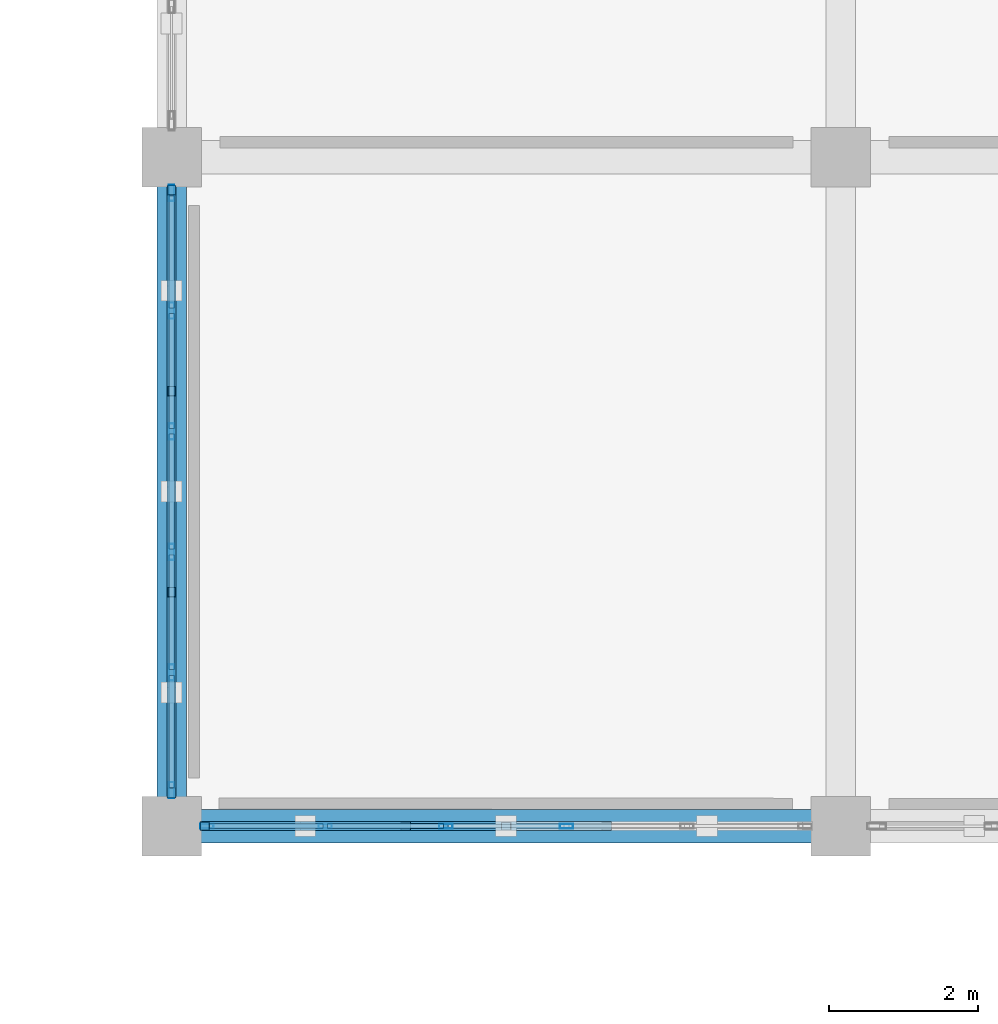
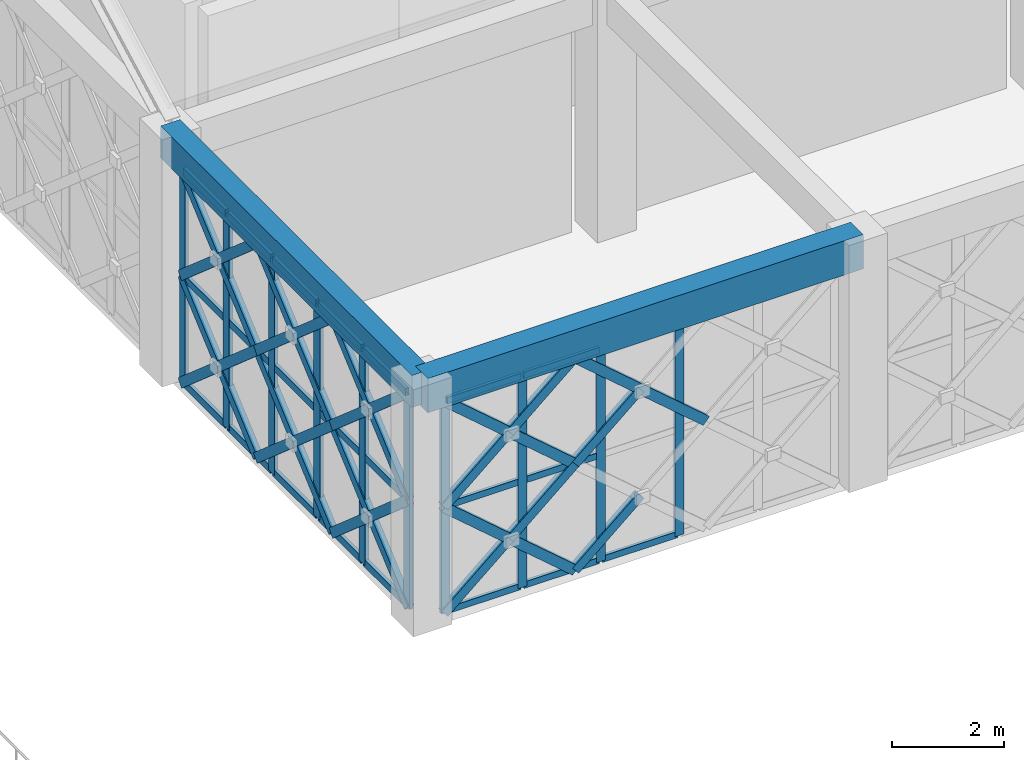
# One storey, part 22 of 86: 59 members, 2 beams, 2 elements without a shape of their own.
"""IFC4 building model written with IfcOpenShell, lengths in metres."""

from ifc_helpers import new_model, si_unit, direction, frame, origin, origin_2d, place, context, subcontext, project, spatial, rectangle, hollow_rectangle, extrude, material, material_profile, profile_set, type_object, element, aggregate, save


model = new_model("IFC4")

# Units and contexts
model_context = context("Model", 3, precision=1e-05, world=origin(), true_north=direction((0.0, 1.0)))
body_context = subcontext(model_context, "Body", "Model", "MODEL_VIEW")
ifc_project = project(units=[si_unit("LENGTHUNIT", "METRE"), si_unit("AREAUNIT", "SQUARE_METRE"), si_unit("VOLUMEUNIT", "CUBIC_METRE"), si_unit("PLANEANGLEUNIT", "RADIAN"), si_unit("MASSUNIT", "GRAM", prefix="KILO")], contexts=[model_context])

# Site, building, storey
site_placement = place(None, origin())
site = spatial("IfcSite", under=ifc_project, at=site_placement, CompositionType="ELEMENT")
building_placement = place(site_placement, origin())
building = spatial("IfcBuilding", under=site, at=building_placement, Name="Haizhuo Lancet Aquarium", CompositionType="ELEMENT")
storey_placement = place(building_placement, frame((0.0, 0.0, 16.199951171875)))
storey = spatial("IfcBuildingStorey", under=building, at=storey_placement, Name="L03", CompositionType="ELEMENT", Elevation=16.199951171875)

# Beams
ifc_material_1 = material(Name="Concrete C40/50", Category="concrete")
ifc_material_profile_1 = material_profile(ifc_material_1, rectangle(XDim=0.39990234375, YDim=0.699951171875, at=origin_2d()), Name="RC-BM 400x700")
ifc_profile_set_1 = profile_set([ifc_material_profile_1], Name="Concrete C40/50")
beam_type_1 = type_object("IfcBeamType", Name="BM-RC-400x700", PredefinedType="BEAM", material=ifc_profile_set_1)
beam_1_placement = place(storey_placement, frame((27.0, -36.0, 5.050048828125), z_axis=(0.0, 1.0, 0.0), x_axis=(-1.0, 0.0, 0.0)))
element("IfcBeam", 1, at=beam_1_placement, inside=storey, type_object=beam_type_1, Name="L03 V3 primary girder BM-L03-V3-001", PredefinedType="BEAM", context=body_context, shape_type="SweptSolid", body=[
    extrude(rectangle(XDim=0.39990234375, YDim=0.699951171875, at=origin_2d()), origin(), (0.0, 0.0, 1.0), 9.0),
])
ifc_material_profile_2 = material_profile(ifc_material_1, rectangle(XDim=0.449951171875, YDim=0.75, at=origin_2d()), Name="RC-BM 450x750")
ifc_profile_set_2 = profile_set([ifc_material_profile_2], Name="Concrete C40/50")
beam_type_2 = type_object("IfcBeamType", Name="BM-RC-450x750", PredefinedType="BEAM", material=ifc_profile_set_2)
beam_2_placement = place(storey_placement, frame((27.0, -36.0, 5.025146484375), z_axis=(1.0, 0.0, 0.0), x_axis=(0.0, 1.0, 0.0)))
element("IfcBeam", 2, at=beam_2_placement, inside=storey, type_object=beam_type_2, Name="L03 V3 primary girder BM-L03-V3-002", PredefinedType="BEAM", context=body_context, shape_type="SweptSolid", body=[
    extrude(rectangle(XDim=0.449951171875, YDim=0.75, at=origin_2d()), origin(), (0.0, 0.0, 1.0), 9.0),
])

# Curtain wall, members
ifc_material_2 = material(Name="Aluminium 6063-T6", Category="aluminium")
curtain_wall_type_1 = type_object("IfcCurtainWallType", Name="CWO-8110x4650", PredefinedType="NOTDEFINED", material=ifc_material_2)
curtain_wall_1_placement = place(storey_placement, origin())
curtain_wall_1 = element("IfcCurtainWall", 3, at=curtain_wall_1_placement, inside=storey, type_object=curtain_wall_type_1, Name="L03 curtain wall CW-V3-L03-079", PredefinedType="NOTDEFINED")
ifc_material_profile_3 = material_profile(ifc_material_2, hollow_rectangle(XDim=0.06494140625, YDim=0.179931640625, WallThickness=0.00390625, at=origin_2d()), Name="ALU-M 65x180x4")
ifc_profile_set_3 = profile_set([ifc_material_profile_3], Name="Aluminium 6063-T6")
member_type_1 = type_object("IfcMemberType", Name="CW-MUL-1", PredefinedType="MULLION", material=ifc_profile_set_3)
member_1_placement = place(storey_placement, frame((32.31103515625, -36.0, 0.0), z_axis=(0.0, 0.0, 1.0), x_axis=(0.0, -1.0, 0.0)))
member_1 = element("IfcMember", 4, at=member_1_placement, type_object=member_type_1, Name="CWO-81x46 mullion 3", PredefinedType="MULLION", context=body_context, shape_type="SweptSolid", body=[
    extrude(hollow_rectangle(XDim=0.06494140625, YDim=0.179931640625, WallThickness=0.00390625, at=origin_2d()), origin(), (0.0, 0.0, 1.0), 4.650146484375),
])
member_2_placement = place(storey_placement, frame((30.68896484375, -36.0, 0.0), z_axis=(0.0, 0.0, 1.0), x_axis=(0.0, -1.0, 0.0)))
member_2 = element("IfcMember", 5, at=member_2_placement, type_object=member_type_1, Name="CWO-81x46 mullion 4", PredefinedType="MULLION", context=body_context, shape_type="SweptSolid", body=[
    extrude(hollow_rectangle(XDim=0.06494140625, YDim=0.179931640625, WallThickness=0.00390625, at=origin_2d()), origin(), (0.0, 0.0, 1.0), 4.650146484375),
])
member_3_placement = place(storey_placement, frame((29.06689453125, -36.0, 0.0), z_axis=(0.0, 0.0, 1.0), x_axis=(0.0, -1.0, 0.0)))
member_3 = element("IfcMember", 6, at=member_3_placement, type_object=member_type_1, Name="CWO-81x46 mullion 5", PredefinedType="MULLION", context=body_context, shape_type="SweptSolid", body=[
    extrude(hollow_rectangle(XDim=0.06494140625, YDim=0.179931640625, WallThickness=0.00390625, at=origin_2d()), origin(), (0.0, 0.0, 1.0), 4.650146484375),
])
member_4_placement = place(storey_placement, frame((27.47705078125, -36.0, 0.0), z_axis=(0.0, 0.0, 1.0), x_axis=(0.0, -1.0, 0.0)))
member_4 = element("IfcMember", 7, at=member_4_placement, type_object=member_type_1, Name="CWO-81x46 mullion 6", PredefinedType="MULLION", context=body_context, shape_type="SweptSolid", body=[
    extrude(hollow_rectangle(XDim=0.06494140625, YDim=0.179931640625, WallThickness=0.00390625, at=origin_2d()), origin(), (0.0, 0.0, 1.0), 4.650146484375),
])

curtain_wall_type_2 = type_object("IfcCurtainWallType", Name="CWO-8110x4700", PredefinedType="NOTDEFINED", material=ifc_material_2)
curtain_wall_2_placement = place(storey_placement, origin())
curtain_wall_2 = element("IfcCurtainWall", 8, at=curtain_wall_2_placement, inside=storey, type_object=curtain_wall_type_2, Name="L03 curtain wall CW-V3-L03-080", PredefinedType="NOTDEFINED")
ifc_material_profile_4 = material_profile(ifc_material_2, hollow_rectangle(XDim=0.074951171875, YDim=0.219970703125, WallThickness=0.0048828125, at=origin_2d()), Name="ALU-M 75x220x5")
ifc_profile_set_4 = profile_set([ifc_material_profile_4], Name="Aluminium 6063-T6")
member_type_2 = type_object("IfcMemberType", Name="CW-MUL-2", PredefinedType="MULLION", material=ifc_profile_set_4)
member_5_placement = place(storey_placement, frame((27.0, -35.51708984375, 0.0), z_axis=(0.0, 0.0, 1.0), x_axis=(-1.0, 0.0, 0.0)))
member_5 = element("IfcMember", 9, at=member_5_placement, type_object=member_type_2, Name="CWO-81x47 mullion 1", PredefinedType="MULLION", context=body_context, shape_type="SweptSolid", body=[
    extrude(hollow_rectangle(XDim=0.074951171875, YDim=0.219970703125, WallThickness=0.0048828125, at=origin_2d()), origin(), (0.0, 0.0, 1.0), 4.699951171875),
])
member_6_placement = place(storey_placement, frame((27.0, -33.93310546875, 0.0), z_axis=(0.0, 0.0, 1.0), x_axis=(-1.0, 0.0, 0.0)))
member_6 = element("IfcMember", 10, at=member_6_placement, type_object=member_type_2, Name="CWO-81x47 mullion 2", PredefinedType="MULLION", context=body_context, shape_type="SweptSolid", body=[
    extrude(hollow_rectangle(XDim=0.074951171875, YDim=0.219970703125, WallThickness=0.0048828125, at=origin_2d()), origin(), (0.0, 0.0, 1.0), 4.699951171875),
])
member_7_placement = place(storey_placement, frame((27.0, -32.31103515625, 0.0), z_axis=(0.0, 0.0, 1.0), x_axis=(-1.0, 0.0, 0.0)))
member_7 = element("IfcMember", 11, at=member_7_placement, type_object=member_type_2, Name="CWO-81x47 mullion 3", PredefinedType="MULLION", context=body_context, shape_type="SweptSolid", body=[
    extrude(hollow_rectangle(XDim=0.074951171875, YDim=0.219970703125, WallThickness=0.0048828125, at=origin_2d()), origin(), (0.0, 0.0, 1.0), 4.699951171875),
])
member_8_placement = place(storey_placement, frame((27.0, -30.68896484375, 0.0), z_axis=(0.0, 0.0, 1.0), x_axis=(-1.0, 0.0, 0.0)))
member_8 = element("IfcMember", 12, at=member_8_placement, type_object=member_type_2, Name="CWO-81x47 mullion 4", PredefinedType="MULLION", context=body_context, shape_type="SweptSolid", body=[
    extrude(hollow_rectangle(XDim=0.074951171875, YDim=0.219970703125, WallThickness=0.0048828125, at=origin_2d()), origin(), (0.0, 0.0, 1.0), 4.699951171875),
])
member_9_placement = place(storey_placement, frame((27.0, -29.06689453125, 0.0), z_axis=(0.0, 0.0, 1.0), x_axis=(-1.0, 0.0, 0.0)))
member_9 = element("IfcMember", 13, at=member_9_placement, type_object=member_type_2, Name="CWO-81x47 mullion 5", PredefinedType="MULLION", context=body_context, shape_type="SweptSolid", body=[
    extrude(hollow_rectangle(XDim=0.074951171875, YDim=0.219970703125, WallThickness=0.0048828125, at=origin_2d()), origin(), (0.0, 0.0, 1.0), 4.699951171875),
])
member_10_placement = place(storey_placement, frame((27.0, -27.48291015625, 0.0), z_axis=(0.0, 0.0, 1.0), x_axis=(-1.0, 0.0, 0.0)))
member_10 = element("IfcMember", 14, at=member_10_placement, type_object=member_type_2, Name="CWO-81x47 mullion 6", PredefinedType="MULLION", context=body_context, shape_type="SweptSolid", body=[
    extrude(hollow_rectangle(XDim=0.074951171875, YDim=0.219970703125, WallThickness=0.0048828125, at=origin_2d()), origin(), (0.0, 0.0, 1.0), 4.699951171875),
])

# Member
ifc_material_profile_5 = material_profile(ifc_material_2, hollow_rectangle(XDim=0.06494140625, YDim=0.139892578125, WallThickness=0.00390625, at=origin_2d()), Name="ALU-T 65x140x4")
ifc_profile_set_5 = profile_set([ifc_material_profile_5], Name="Aluminium 6063-T6")
member_type_3 = type_object("IfcMemberType", Name="CW-TRN-1", PredefinedType="NOTDEFINED", material=ifc_profile_set_5)
member_11_placement = place(storey_placement, frame((32.279052734375, -36.0, 0.031982421875), z_axis=(-1.0, 0.0, 0.0), x_axis=(0.0, -1.0, 0.0)))
member_11 = element("IfcMember", 15, at=member_11_placement, type_object=member_type_3, Name="CWO-81x46 transom 3.1", ObjectType="TRANSOM", PredefinedType="USERDEFINED", context=body_context, shape_type="SweptSolid", body=[
    extrude(hollow_rectangle(XDim=0.06494140625, YDim=0.139892578125, WallThickness=0.00390625, at=origin_2d()), origin(), (0.0, 0.0, 1.0), 1.55810546875),
])

member_12_placement = place(storey_placement, frame((30.656982421875, -36.0, 0.031982421875), z_axis=(-1.0, 0.0, 0.0), x_axis=(0.0, -1.0, 0.0)))
member_12 = element("IfcMember", 16, at=member_12_placement, type_object=member_type_3, Name="CWO-81x46 transom 4.1", ObjectType="TRANSOM", PredefinedType="USERDEFINED", context=body_context, shape_type="SweptSolid", body=[
    extrude(hollow_rectangle(XDim=0.06494140625, YDim=0.139892578125, WallThickness=0.00390625, at=origin_2d()), origin(), (0.0, 0.0, 1.0), 1.557861328125),
])

member_13_placement = place(storey_placement, frame((30.656982421875, -36.0, 2.324951171875), z_axis=(-1.0, 0.0, 0.0), x_axis=(0.0, -1.0, 0.0)))
member_13 = element("IfcMember", 17, at=member_13_placement, type_object=member_type_3, Name="CWO-81x46 transom 4.2", ObjectType="TRANSOM", PredefinedType="USERDEFINED", context=body_context, shape_type="SweptSolid", body=[
    extrude(hollow_rectangle(XDim=0.06494140625, YDim=0.139892578125, WallThickness=0.00390625, at=origin_2d()), origin(), (0.0, 0.0, 1.0), 1.557861328125),
])

member_14_placement = place(storey_placement, frame((30.656982421875, -36.0, 4.6181640625), z_axis=(-1.0, 0.0, 0.0), x_axis=(0.0, -1.0, 0.0)))
member_14 = element("IfcMember", 18, at=member_14_placement, type_object=member_type_3, Name="CWO-81x46 transom 4.3", ObjectType="TRANSOM", PredefinedType="USERDEFINED", context=body_context, shape_type="SweptSolid", body=[
    extrude(hollow_rectangle(XDim=0.06494140625, YDim=0.139892578125, WallThickness=0.00390625, at=origin_2d()), origin(), (0.0, 0.0, 1.0), 1.557861328125),
])

member_15_placement = place(storey_placement, frame((29.034912109375, -36.0, 0.031982421875), z_axis=(-1.0, 0.0, 0.0), x_axis=(0.0, -1.0, 0.0)))
member_15 = element("IfcMember", 19, at=member_15_placement, type_object=member_type_3, Name="CWO-81x46 transom 5.1", ObjectType="TRANSOM", PredefinedType="USERDEFINED", context=body_context, shape_type="SweptSolid", body=[
    extrude(hollow_rectangle(XDim=0.06494140625, YDim=0.139892578125, WallThickness=0.00390625, at=origin_2d()), origin(), (0.0, 0.0, 1.0), 1.52490234375),
])

member_16_placement = place(storey_placement, frame((29.034912109375, -36.0, 2.324951171875), z_axis=(-1.0, 0.0, 0.0), x_axis=(0.0, -1.0, 0.0)))
member_16 = element("IfcMember", 20, at=member_16_placement, type_object=member_type_3, Name="CWO-81x46 transom 5.2", ObjectType="TRANSOM", PredefinedType="USERDEFINED", context=body_context, shape_type="SweptSolid", body=[
    extrude(hollow_rectangle(XDim=0.06494140625, YDim=0.139892578125, WallThickness=0.00390625, at=origin_2d()), origin(), (0.0, 0.0, 1.0), 1.52490234375),
])

member_17_placement = place(storey_placement, frame((29.034912109375, -36.0, 4.6181640625), z_axis=(-1.0, 0.0, 0.0), x_axis=(0.0, -1.0, 0.0)))
member_17 = element("IfcMember", 21, at=member_17_placement, type_object=member_type_3, Name="CWO-81x46 transom 5.3", ObjectType="TRANSOM", PredefinedType="USERDEFINED", context=body_context, shape_type="SweptSolid", body=[
    extrude(hollow_rectangle(XDim=0.06494140625, YDim=0.139892578125, WallThickness=0.00390625, at=origin_2d()), origin(), (0.0, 0.0, 1.0), 1.52490234375),
])

aggregate(curtain_wall_1, [member_1, member_2, member_3, member_4, member_11, member_12, member_13, member_14, member_15, member_16, member_17])

ifc_material_profile_6 = material_profile(ifc_material_2, hollow_rectangle(XDim=0.074951171875, YDim=0.159912109375, WallThickness=0.00390625, at=origin_2d()), Name="ALU-T 75x160x4")
ifc_profile_set_6 = profile_set([ifc_material_profile_6], Name="Aluminium 6063-T6")
member_type_4 = type_object("IfcMemberType", Name="CW-TRN-2", PredefinedType="NOTDEFINED", material=ifc_profile_set_6)
member_18_placement = place(storey_placement, frame((27.0, -35.47998046875, 0.0380859375), z_axis=(0.0, 1.0, 0.0), x_axis=(-1.0, 0.0, 0.0)))
member_18 = element("IfcMember", 22, at=member_18_placement, type_object=member_type_4, Name="CWO-81x47 transom 1.1", ObjectType="TRANSOM", PredefinedType="USERDEFINED", context=body_context, shape_type="SweptSolid", body=[
    extrude(hollow_rectangle(XDim=0.074951171875, YDim=0.159912109375, WallThickness=0.00390625, at=origin_2d()), origin(), (0.0, 0.0, 1.0), 1.509033203125),
])

member_19_placement = place(storey_placement, frame((27.0, -35.47998046875, 2.35009765625), z_axis=(0.0, 1.0, 0.0), x_axis=(-1.0, 0.0, 0.0)))
member_19 = element("IfcMember", 23, at=member_19_placement, type_object=member_type_4, Name="CWO-81x47 transom 1.2", ObjectType="TRANSOM", PredefinedType="USERDEFINED", context=body_context, shape_type="SweptSolid", body=[
    extrude(hollow_rectangle(XDim=0.074951171875, YDim=0.159912109375, WallThickness=0.00390625, at=origin_2d()), origin(), (0.0, 0.0, 1.0), 1.509033203125),
])

member_20_placement = place(storey_placement, frame((27.0, -35.47998046875, 4.662109375), z_axis=(0.0, 1.0, 0.0), x_axis=(-1.0, 0.0, 0.0)))
member_20 = element("IfcMember", 24, at=member_20_placement, type_object=member_type_4, Name="CWO-81x47 transom 1.3", ObjectType="TRANSOM", PredefinedType="USERDEFINED", context=body_context, shape_type="SweptSolid", body=[
    extrude(hollow_rectangle(XDim=0.074951171875, YDim=0.159912109375, WallThickness=0.00390625, at=origin_2d()), origin(), (0.0, 0.0, 1.0), 1.509033203125),
])

member_21_placement = place(storey_placement, frame((27.0, -33.89501953125, 0.0380859375), z_axis=(0.0, 1.0, 0.0), x_axis=(-1.0, 0.0, 0.0)))
member_21 = element("IfcMember", 25, at=member_21_placement, type_object=member_type_4, Name="CWO-81x47 transom 2.1", ObjectType="TRANSOM", PredefinedType="USERDEFINED", context=body_context, shape_type="SweptSolid", body=[
    extrude(hollow_rectangle(XDim=0.074951171875, YDim=0.159912109375, WallThickness=0.00390625, at=origin_2d()), origin(), (0.0, 0.0, 1.0), 1.5458984375),
])

member_22_placement = place(storey_placement, frame((27.0, -33.89501953125, 2.35009765625), z_axis=(0.0, 1.0, 0.0), x_axis=(-1.0, 0.0, 0.0)))
member_22 = element("IfcMember", 26, at=member_22_placement, type_object=member_type_4, Name="CWO-81x47 transom 2.2", ObjectType="TRANSOM", PredefinedType="USERDEFINED", context=body_context, shape_type="SweptSolid", body=[
    extrude(hollow_rectangle(XDim=0.074951171875, YDim=0.159912109375, WallThickness=0.00390625, at=origin_2d()), origin(), (0.0, 0.0, 1.0), 1.5458984375),
])

member_23_placement = place(storey_placement, frame((27.0, -33.89501953125, 4.662109375), z_axis=(0.0, 1.0, 0.0), x_axis=(-1.0, 0.0, 0.0)))
member_23 = element("IfcMember", 27, at=member_23_placement, type_object=member_type_4, Name="CWO-81x47 transom 2.3", ObjectType="TRANSOM", PredefinedType="USERDEFINED", context=body_context, shape_type="SweptSolid", body=[
    extrude(hollow_rectangle(XDim=0.074951171875, YDim=0.159912109375, WallThickness=0.00390625, at=origin_2d()), origin(), (0.0, 0.0, 1.0), 1.5458984375),
])

member_24_placement = place(storey_placement, frame((27.0, -32.27294921875, 0.0380859375), z_axis=(0.0, 1.0, 0.0), x_axis=(-1.0, 0.0, 0.0)))
member_24 = element("IfcMember", 28, at=member_24_placement, type_object=member_type_4, Name="CWO-81x47 transom 3.1", ObjectType="TRANSOM", PredefinedType="USERDEFINED", context=body_context, shape_type="SweptSolid", body=[
    extrude(hollow_rectangle(XDim=0.074951171875, YDim=0.159912109375, WallThickness=0.00390625, at=origin_2d()), origin(), (0.0, 0.0, 1.0), 1.5458984375),
])

member_25_placement = place(storey_placement, frame((27.0, -32.27294921875, 2.35009765625), z_axis=(0.0, 1.0, 0.0), x_axis=(-1.0, 0.0, 0.0)))
member_25 = element("IfcMember", 29, at=member_25_placement, type_object=member_type_4, Name="CWO-81x47 transom 3.2", ObjectType="TRANSOM", PredefinedType="USERDEFINED", context=body_context, shape_type="SweptSolid", body=[
    extrude(hollow_rectangle(XDim=0.074951171875, YDim=0.159912109375, WallThickness=0.00390625, at=origin_2d()), origin(), (0.0, 0.0, 1.0), 1.5458984375),
])

member_26_placement = place(storey_placement, frame((27.0, -32.27294921875, 4.662109375), z_axis=(0.0, 1.0, 0.0), x_axis=(-1.0, 0.0, 0.0)))
member_26 = element("IfcMember", 30, at=member_26_placement, type_object=member_type_4, Name="CWO-81x47 transom 3.3", ObjectType="TRANSOM", PredefinedType="USERDEFINED", context=body_context, shape_type="SweptSolid", body=[
    extrude(hollow_rectangle(XDim=0.074951171875, YDim=0.159912109375, WallThickness=0.00390625, at=origin_2d()), origin(), (0.0, 0.0, 1.0), 1.5458984375),
])

member_27_placement = place(storey_placement, frame((27.0, -30.65087890625, 0.0380859375), z_axis=(0.0, 1.0, 0.0), x_axis=(-1.0, 0.0, 0.0)))
member_27 = element("IfcMember", 31, at=member_27_placement, type_object=member_type_4, Name="CWO-81x47 transom 4.1", ObjectType="TRANSOM", PredefinedType="USERDEFINED", context=body_context, shape_type="SweptSolid", body=[
    extrude(hollow_rectangle(XDim=0.074951171875, YDim=0.159912109375, WallThickness=0.00390625, at=origin_2d()), origin(), (0.0, 0.0, 1.0), 1.5458984375),
])

member_28_placement = place(storey_placement, frame((27.0, -30.65087890625, 2.35009765625), z_axis=(0.0, 1.0, 0.0), x_axis=(-1.0, 0.0, 0.0)))
member_28 = element("IfcMember", 32, at=member_28_placement, type_object=member_type_4, Name="CWO-81x47 transom 4.2", ObjectType="TRANSOM", PredefinedType="USERDEFINED", context=body_context, shape_type="SweptSolid", body=[
    extrude(hollow_rectangle(XDim=0.074951171875, YDim=0.159912109375, WallThickness=0.00390625, at=origin_2d()), origin(), (0.0, 0.0, 1.0), 1.5458984375),
])

member_29_placement = place(storey_placement, frame((27.0, -30.65087890625, 4.662109375), z_axis=(0.0, 1.0, 0.0), x_axis=(-1.0, 0.0, 0.0)))
member_29 = element("IfcMember", 33, at=member_29_placement, type_object=member_type_4, Name="CWO-81x47 transom 4.3", ObjectType="TRANSOM", PredefinedType="USERDEFINED", context=body_context, shape_type="SweptSolid", body=[
    extrude(hollow_rectangle(XDim=0.074951171875, YDim=0.159912109375, WallThickness=0.00390625, at=origin_2d()), origin(), (0.0, 0.0, 1.0), 1.5458984375),
])

member_30_placement = place(storey_placement, frame((27.0, -29.029052734375, 0.0380859375), z_axis=(0.0, 1.0, 0.0), x_axis=(-1.0, 0.0, 0.0)))
member_30 = element("IfcMember", 34, at=member_30_placement, type_object=member_type_4, Name="CWO-81x47 transom 5.1", ObjectType="TRANSOM", PredefinedType="USERDEFINED", context=body_context, shape_type="SweptSolid", body=[
    extrude(hollow_rectangle(XDim=0.074951171875, YDim=0.159912109375, WallThickness=0.00390625, at=origin_2d()), origin(), (0.0, 0.0, 1.0), 1.509033203125),
])

member_31_placement = place(storey_placement, frame((27.0, -29.029052734375, 2.35009765625), z_axis=(0.0, 1.0, 0.0), x_axis=(-1.0, 0.0, 0.0)))
member_31 = element("IfcMember", 35, at=member_31_placement, type_object=member_type_4, Name="CWO-81x47 transom 5.2", ObjectType="TRANSOM", PredefinedType="USERDEFINED", context=body_context, shape_type="SweptSolid", body=[
    extrude(hollow_rectangle(XDim=0.074951171875, YDim=0.159912109375, WallThickness=0.00390625, at=origin_2d()), origin(), (0.0, 0.0, 1.0), 1.509033203125),
])

member_32_placement = place(storey_placement, frame((27.0, -29.029052734375, 4.662109375), z_axis=(0.0, 1.0, 0.0), x_axis=(-1.0, 0.0, 0.0)))
member_32 = element("IfcMember", 36, at=member_32_placement, type_object=member_type_4, Name="CWO-81x47 transom 5.3", ObjectType="TRANSOM", PredefinedType="USERDEFINED", context=body_context, shape_type="SweptSolid", body=[
    extrude(hollow_rectangle(XDim=0.074951171875, YDim=0.159912109375, WallThickness=0.00390625, at=origin_2d()), origin(), (0.0, 0.0, 1.0), 1.509033203125),
])

aggregate(curtain_wall_2, [member_5, member_6, member_7, member_8, member_9, member_10, member_18, member_19, member_20, member_21, member_22, member_23, member_24, member_25, member_26, member_27, member_28, member_29, member_30, member_31, member_32])

# Members
ifc_material_3 = material(Name="Steel S355", Category="steel")
ifc_material_profile_7 = material_profile(ifc_material_3, hollow_rectangle(XDim=0.1201171875, YDim=0.199951171875, WallThickness=0.008056640625, at=origin_2d()), Name="RHS 120x200x8")
ifc_profile_set_7 = profile_set([ifc_material_profile_7], Name="Steel S355")
member_type_5 = type_object("IfcMemberType", Name="MEM-LB-RHS120x200", PredefinedType="BRACE", material=ifc_profile_set_7)
member_33_placement = place(storey_placement, frame((30.14794921875, -36.0, 0.0), z_axis=(0.758366597375, 0.0, 0.651828277989), x_axis=(0.0, 1.0, 0.0)))
element("IfcMember", 37, at=member_33_placement, inside=storey, type_object=member_type_5, Name="Gothic lancet split diagonal brace CW-V3-L03-079 3B1", PredefinedType="BRACE", context=body_context, shape_type="SweptSolid", body=[
    extrude(hollow_rectangle(XDim=0.1201171875, YDim=0.199951171875, WallThickness=0.008056640625, at=origin_2d()), origin(), (0.0, 0.0, 1.0), 1.782958984375),
])
member_34_placement = place(storey_placement, frame((32.85205078125, -36.0, 2.324951171875), z_axis=(-0.758231220788, 0.0, 0.651985748175), x_axis=(0.0, -1.0, 0.0)))
element("IfcMember", 38, at=member_34_placement, inside=storey, type_object=member_type_5, Name="Gothic lancet continuous diagonal brace CW-V3-L03-079 4A", PredefinedType="BRACE", context=body_context, shape_type="SweptSolid", body=[
    extrude(hollow_rectangle(XDim=0.1201171875, YDim=0.199951171875, WallThickness=0.008056640625, at=origin_2d()), origin(), (0.0, 0.0, 1.0), 3.56640625),
])
member_35_placement = place(storey_placement, frame((30.14794921875, -36.0, 2.324951171875), z_axis=(0.75809585985, 0.0, 0.652143134042), x_axis=(0.0, 1.0, 0.0)))
element("IfcMember", 39, at=member_35_placement, inside=storey, type_object=member_type_5, Name="Gothic lancet split diagonal brace CW-V3-L03-079 4B1", PredefinedType="BRACE", context=body_context, shape_type="SweptSolid", body=[
    extrude(hollow_rectangle(XDim=0.1201171875, YDim=0.199951171875, WallThickness=0.008056640625, at=origin_2d()), origin(), (0.0, 0.0, 1.0), 1.783447265625),
])
member_36_placement = place(storey_placement, frame((30.14794921875, -36.0, 0.0), z_axis=(-0.758119517235, 0.0, 0.652115632068), x_axis=(0.0, -1.0, 0.0)))
element("IfcMember", 40, at=member_36_placement, inside=storey, type_object=member_type_5, Name="Gothic lancet continuous diagonal brace CW-V3-L03-079 5A", PredefinedType="BRACE", context=body_context, shape_type="SweptSolid", body=[
    extrude(hollow_rectangle(XDim=0.1201171875, YDim=0.199951171875, WallThickness=0.008056640625, at=origin_2d()), origin(), (0.0, 0.0, 1.0), 3.565185546875),
])
member_37_placement = place(storey_placement, frame((27.445068359375, -36.0, 0.0), z_axis=(0.758366597375, 0.0, 0.651828277989), x_axis=(0.0, 1.0, 0.0)))
element("IfcMember", 41, at=member_37_placement, inside=storey, type_object=member_type_5, Name="Gothic lancet split diagonal brace CW-V3-L03-079 5B1", PredefinedType="BRACE", context=body_context, shape_type="SweptSolid", body=[
    extrude(hollow_rectangle(XDim=0.1201171875, YDim=0.199951171875, WallThickness=0.008056640625, at=origin_2d()), origin(), (0.0, 0.0, 1.0), 1.782958984375),
])
member_38_placement = place(storey_placement, frame((28.797119140625, -36.0, 1.162109375), z_axis=(0.757872266095, 0.0, 0.65240296465), x_axis=(0.0, 1.0, 0.0)))
element("IfcMember", 42, at=member_38_placement, inside=storey, type_object=member_type_5, Name="Gothic lancet split diagonal brace CW-V3-L03-079 5B2", PredefinedType="BRACE", context=body_context, shape_type="SweptSolid", body=[
    extrude(hollow_rectangle(XDim=0.1201171875, YDim=0.199951171875, WallThickness=0.008056640625, at=origin_2d()), origin(), (0.0, 0.0, 1.0), 1.782470703125),
])
member_39_placement = place(storey_placement, frame((30.14794921875, -36.0, 2.324951171875), z_axis=(-0.758085663481, 0.0, 0.652154986812), x_axis=(0.0, -1.0, 0.0)))
element("IfcMember", 43, at=member_39_placement, inside=storey, type_object=member_type_5, Name="Gothic lancet continuous diagonal brace CW-V3-L03-079 6A", PredefinedType="BRACE", context=body_context, shape_type="SweptSolid", body=[
    extrude(hollow_rectangle(XDim=0.1201171875, YDim=0.199951171875, WallThickness=0.008056640625, at=origin_2d()), origin(), (0.0, 0.0, 1.0), 3.5654296875),
])
member_40_placement = place(storey_placement, frame((27.445068359375, -36.0, 2.324951171875), z_axis=(0.75809585985, 0.0, 0.652143134042), x_axis=(0.0, 1.0, 0.0)))
element("IfcMember", 44, at=member_40_placement, inside=storey, type_object=member_type_5, Name="Gothic lancet split diagonal brace CW-V3-L03-079 6B1", PredefinedType="BRACE", context=body_context, shape_type="SweptSolid", body=[
    extrude(hollow_rectangle(XDim=0.1201171875, YDim=0.199951171875, WallThickness=0.008056640625, at=origin_2d()), origin(), (0.0, 0.0, 1.0), 1.783447265625),
])
member_41_placement = place(storey_placement, frame((28.797119140625, -36.0, 3.488037109375), z_axis=(0.758075457988, 0.0, 0.652166849814), x_axis=(0.0, 1.0, 0.0)))
element("IfcMember", 45, at=member_41_placement, inside=storey, type_object=member_type_5, Name="Gothic lancet split diagonal brace CW-V3-L03-079 6B2", PredefinedType="BRACE", context=body_context, shape_type="SweptSolid", body=[
    extrude(hollow_rectangle(XDim=0.1201171875, YDim=0.199951171875, WallThickness=0.008056640625, at=origin_2d()), origin(), (0.0, 0.0, 1.0), 1.781982421875),
])
member_42_placement = place(storey_placement, frame((27.0, -35.554931640625, 0.0), z_axis=(0.0, 0.754637805349, 0.656141587417), x_axis=(-1.0, 0.0, 0.0)))
element("IfcMember", 46, at=member_42_placement, inside=storey, type_object=member_type_5, Name="Gothic lancet continuous diagonal brace CW-V3-L03-080 1A", PredefinedType="BRACE", context=body_context, shape_type="SweptSolid", body=[
    extrude(hollow_rectangle(XDim=0.1201171875, YDim=0.199951171875, WallThickness=0.008056640625, at=origin_2d()), origin(), (0.0, 0.0, 1.0), 3.581787109375),
])
member_43_placement = place(storey_placement, frame((27.0, -32.85205078125, 0.0), z_axis=(0.0, -0.754491019428, 0.656310369873), x_axis=(1.0, 0.0, 0.0)))
element("IfcMember", 47, at=member_43_placement, inside=storey, type_object=member_type_5, Name="Gothic lancet split diagonal brace CW-V3-L03-080 1B1", PredefinedType="BRACE", context=body_context, shape_type="SweptSolid", body=[
    extrude(hollow_rectangle(XDim=0.1201171875, YDim=0.199951171875, WallThickness=0.008056640625, at=origin_2d()), origin(), (0.0, 0.0, 1.0), 1.790283203125),
])
member_44_placement = place(storey_placement, frame((27.0, -34.202880859375, 1.175048828125), z_axis=(0.0, -0.754784478057, 0.655972858954), x_axis=(1.0, 0.0, 0.0)))
element("IfcMember", 48, at=member_44_placement, inside=storey, type_object=member_type_5, Name="Gothic lancet split diagonal brace CW-V3-L03-080 1B2", PredefinedType="BRACE", context=body_context, shape_type="SweptSolid", body=[
    extrude(hollow_rectangle(XDim=0.1201171875, YDim=0.199951171875, WallThickness=0.008056640625, at=origin_2d()), origin(), (0.0, 0.0, 1.0), 1.791259765625),
])
member_45_placement = place(storey_placement, frame((27.0, -35.554931640625, 2.35009765625), z_axis=(0.0, 0.754671556952, 0.6561027672), x_axis=(-1.0, 0.0, 0.0)))
element("IfcMember", 49, at=member_45_placement, inside=storey, type_object=member_type_5, Name="Gothic lancet continuous diagonal brace CW-V3-L03-080 2A", PredefinedType="BRACE", context=body_context, shape_type="SweptSolid", body=[
    extrude(hollow_rectangle(XDim=0.1201171875, YDim=0.199951171875, WallThickness=0.008056640625, at=origin_2d()), origin(), (0.0, 0.0, 1.0), 3.58154296875),
])
member_46_placement = place(storey_placement, frame((27.0, -32.85205078125, 2.35009765625), z_axis=(0.0, -0.754491019428, 0.656310369873), x_axis=(1.0, 0.0, 0.0)))
element("IfcMember", 50, at=member_46_placement, inside=storey, type_object=member_type_5, Name="Gothic lancet split diagonal brace CW-V3-L03-080 2B1", PredefinedType="BRACE", context=body_context, shape_type="SweptSolid", body=[
    extrude(hollow_rectangle(XDim=0.1201171875, YDim=0.199951171875, WallThickness=0.008056640625, at=origin_2d()), origin(), (0.0, 0.0, 1.0), 1.790283203125),
])
member_47_placement = place(storey_placement, frame((27.0, -34.202880859375, 3.525146484375), z_axis=(0.0, -0.754851960681, 0.655895203105), x_axis=(1.0, 0.0, 0.0)))
element("IfcMember", 51, at=member_47_placement, inside=storey, type_object=member_type_5, Name="Gothic lancet split diagonal brace CW-V3-L03-080 2B2", PredefinedType="BRACE", context=body_context, shape_type="SweptSolid", body=[
    extrude(hollow_rectangle(XDim=0.1201171875, YDim=0.199951171875, WallThickness=0.008056640625, at=origin_2d()), origin(), (0.0, 0.0, 1.0), 1.791259765625),
])
member_48_placement = place(storey_placement, frame((27.0, -32.85205078125, 0.0), z_axis=(0.0, 0.754784478057, 0.655972858954), x_axis=(-1.0, 0.0, 0.0)))
element("IfcMember", 52, at=member_48_placement, inside=storey, type_object=member_type_5, Name="Gothic lancet continuous diagonal brace CW-V3-L03-080 3A", PredefinedType="BRACE", context=body_context, shape_type="SweptSolid", body=[
    extrude(hollow_rectangle(XDim=0.1201171875, YDim=0.199951171875, WallThickness=0.008056640625, at=origin_2d()), origin(), (0.0, 0.0, 1.0), 3.58251953125),
])
for number, where, z_axis, x_axis, name in (
    (53, (27.0, -30.14794921875, 0.0), (0.0, -0.754784478057, 0.655972858954), (1.0, 0.0, 0.0), "Gothic lancet split diagonal brace CW-V3-L03-080 3B1"),
    (54, (27.0, -31.5, 1.175048828125), (0.0, -0.754784478057, 0.655972858954), (1.0, 0.0, 0.0), "Gothic lancet split diagonal brace CW-V3-L03-080 3B2"),
):
    element("IfcMember", number, at=place(storey_placement, frame(where, z_axis=z_axis, x_axis=x_axis)), inside=storey, type_object=member_type_5, Name=name, PredefinedType="BRACE", context=body_context, shape_type="SweptSolid", body=[
        extrude(hollow_rectangle(XDim=0.1201171875, YDim=0.199951171875, WallThickness=0.008056640625, at=origin_2d()), origin(), (0.0, 0.0, 1.0), 1.791259765625),
    ])
member_49_placement = place(storey_placement, frame((27.0, -32.85205078125, 2.35009765625), z_axis=(0.0, 0.754818218859, 0.655934033633), x_axis=(-1.0, 0.0, 0.0)))
element("IfcMember", 55, at=member_49_placement, inside=storey, type_object=member_type_5, Name="Gothic lancet continuous diagonal brace CW-V3-L03-080 4A", PredefinedType="BRACE", context=body_context, shape_type="SweptSolid", body=[
    extrude(hollow_rectangle(XDim=0.1201171875, YDim=0.199951171875, WallThickness=0.008056640625, at=origin_2d()), origin(), (0.0, 0.0, 1.0), 3.58251953125),
])
for number, where, z_axis, x_axis, name in (
    (56, (27.0, -30.14794921875, 2.35009765625), (0.0, -0.754784478057, 0.655972858954), (1.0, 0.0, 0.0), "Gothic lancet split diagonal brace CW-V3-L03-080 4B1"),
    (57, (27.0, -31.5, 3.525146484375), (0.0, -0.754851960681, 0.655895203105), (1.0, 0.0, 0.0), "Gothic lancet split diagonal brace CW-V3-L03-080 4B2"),
):
    element("IfcMember", number, at=place(storey_placement, frame(where, z_axis=z_axis, x_axis=x_axis)), inside=storey, type_object=member_type_5, Name=name, PredefinedType="BRACE", context=body_context, shape_type="SweptSolid", body=[
        extrude(hollow_rectangle(XDim=0.1201171875, YDim=0.199951171875, WallThickness=0.008056640625, at=origin_2d()), origin(), (0.0, 0.0, 1.0), 1.791259765625),
    ])
member_50_placement = place(storey_placement, frame((27.0, -30.14794921875, 0.0), z_axis=(0.0, 0.754637805349, 0.656141587417), x_axis=(-1.0, 0.0, 0.0)))
element("IfcMember", 58, at=member_50_placement, inside=storey, type_object=member_type_5, Name="Gothic lancet continuous diagonal brace CW-V3-L03-080 5A", PredefinedType="BRACE", context=body_context, shape_type="SweptSolid", body=[
    extrude(hollow_rectangle(XDim=0.1201171875, YDim=0.199951171875, WallThickness=0.008056640625, at=origin_2d()), origin(), (0.0, 0.0, 1.0), 3.581787109375),
])
member_51_placement = place(storey_placement, frame((27.0, -27.445068359375, 0.0), z_axis=(0.0, -0.754784478057, 0.655972858954), x_axis=(1.0, 0.0, 0.0)))
element("IfcMember", 59, at=member_51_placement, inside=storey, type_object=member_type_5, Name="Gothic lancet split diagonal brace CW-V3-L03-080 5B1", PredefinedType="BRACE", context=body_context, shape_type="SweptSolid", body=[
    extrude(hollow_rectangle(XDim=0.1201171875, YDim=0.199951171875, WallThickness=0.008056640625, at=origin_2d()), origin(), (0.0, 0.0, 1.0), 1.791259765625),
])
member_52_placement = place(storey_placement, frame((27.0, -28.797119140625, 1.175048828125), z_axis=(0.0, -0.754491019428, 0.656310369873), x_axis=(1.0, 0.0, 0.0)))
element("IfcMember", 60, at=member_52_placement, inside=storey, type_object=member_type_5, Name="Gothic lancet split diagonal brace CW-V3-L03-080 5B2", PredefinedType="BRACE", context=body_context, shape_type="SweptSolid", body=[
    extrude(hollow_rectangle(XDim=0.1201171875, YDim=0.199951171875, WallThickness=0.008056640625, at=origin_2d()), origin(), (0.0, 0.0, 1.0), 1.790283203125),
])
member_53_placement = place(storey_placement, frame((27.0, -30.14794921875, 2.35009765625), z_axis=(0.0, 0.754671556952, 0.6561027672), x_axis=(-1.0, 0.0, 0.0)))
element("IfcMember", 61, at=member_53_placement, inside=storey, type_object=member_type_5, Name="Gothic lancet continuous diagonal brace CW-V3-L03-080 6A", PredefinedType="BRACE", context=body_context, shape_type="SweptSolid", body=[
    extrude(hollow_rectangle(XDim=0.1201171875, YDim=0.199951171875, WallThickness=0.008056640625, at=origin_2d()), origin(), (0.0, 0.0, 1.0), 3.58154296875),
])
member_54_placement = place(storey_placement, frame((27.0, -27.445068359375, 2.35009765625), z_axis=(0.0, -0.754784478057, 0.655972858954), x_axis=(1.0, 0.0, 0.0)))
element("IfcMember", 62, at=member_54_placement, inside=storey, type_object=member_type_5, Name="Gothic lancet split diagonal brace CW-V3-L03-080 6B1", PredefinedType="BRACE", context=body_context, shape_type="SweptSolid", body=[
    extrude(hollow_rectangle(XDim=0.1201171875, YDim=0.199951171875, WallThickness=0.008056640625, at=origin_2d()), origin(), (0.0, 0.0, 1.0), 1.791259765625),
])
member_55_placement = place(storey_placement, frame((27.0, -28.797119140625, 3.525146484375), z_axis=(0.0, -0.754558545257, 0.656232734462), x_axis=(1.0, 0.0, 0.0)))
element("IfcMember", 63, at=member_55_placement, inside=storey, type_object=member_type_5, Name="Gothic lancet split diagonal brace CW-V3-L03-080 6B2", PredefinedType="BRACE", context=body_context, shape_type="SweptSolid", body=[
    extrude(hollow_rectangle(XDim=0.1201171875, YDim=0.199951171875, WallThickness=0.008056640625, at=origin_2d()), origin(), (0.0, 0.0, 1.0), 1.790283203125),
])

save(model, "model.ifc")
